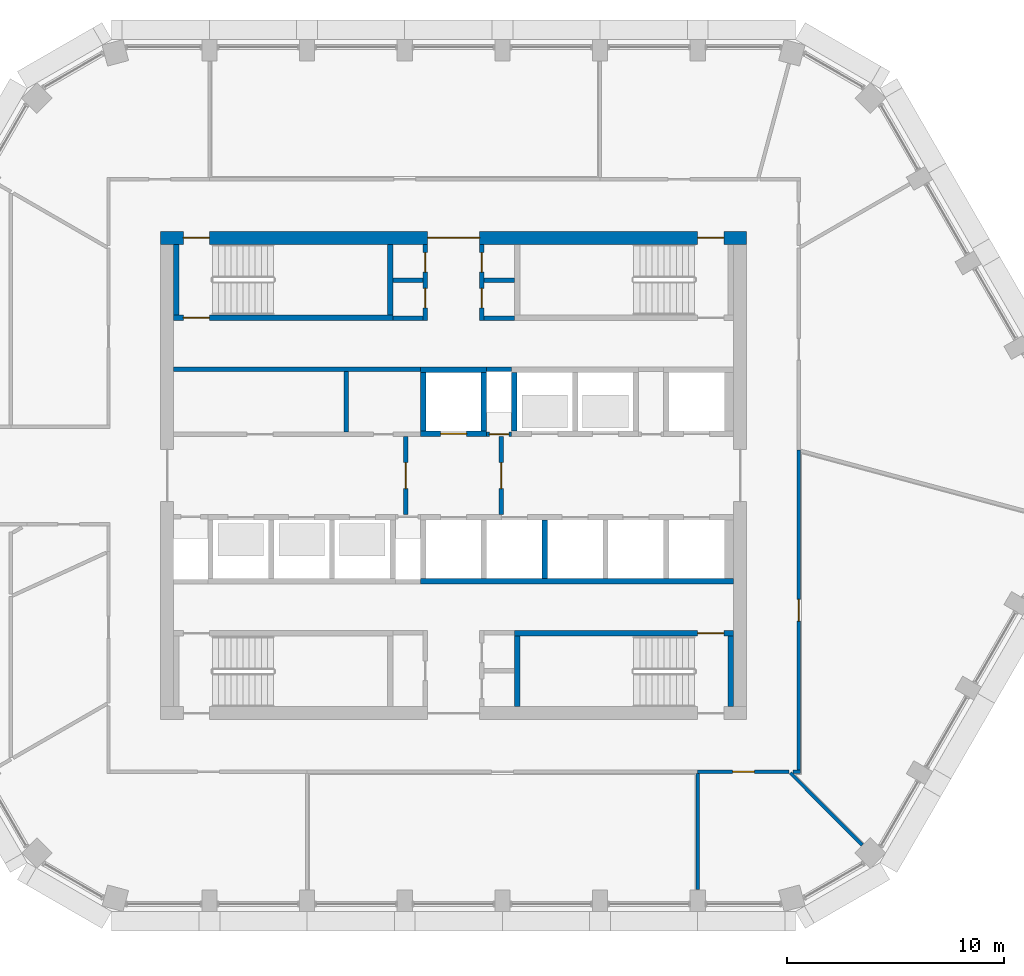
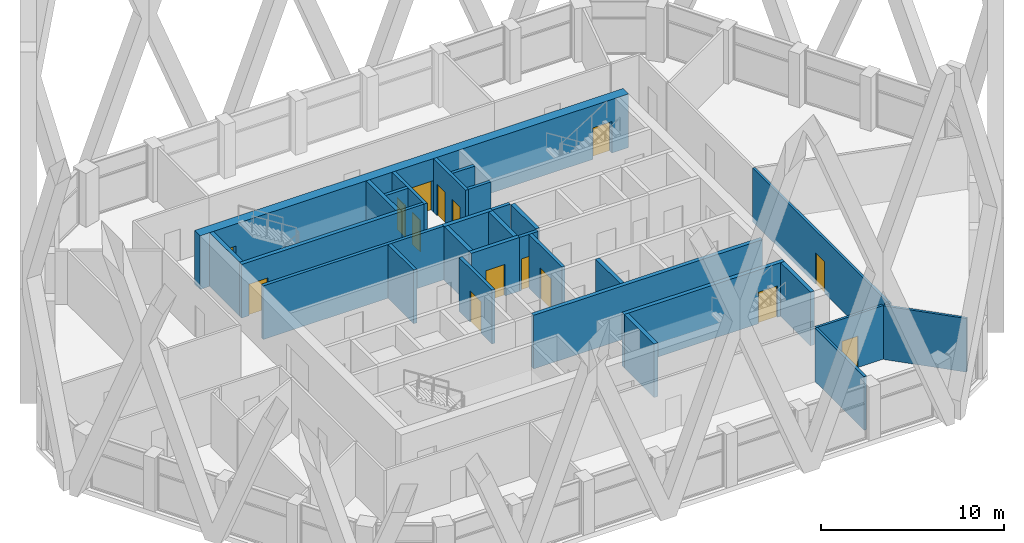
# One storey, part 10 of 20: 31 walls, 15 doors, 15 openings.
"""IFC4 building model written with IfcOpenShell, lengths in metres."""

from ifc_helpers import new_model, si_unit, direction, frame, frame_2d, origin, place, context, subcontext, project, spatial, polyline, rectangle, outline, extrude, material, layer, layer_set, type_object, element, fill, save


model = new_model("IFC4")

# Units and contexts
model_context = context("Model", 3, precision=1e-05, world=origin(), true_north=direction((0.0, 1.0)))
body_context = subcontext(model_context, "Body", "Model", "MODEL_VIEW")
ifc_project = project(units=[si_unit("LENGTHUNIT", "METRE"), si_unit("AREAUNIT", "SQUARE_METRE"), si_unit("VOLUMEUNIT", "CUBIC_METRE"), si_unit("PLANEANGLEUNIT", "RADIAN"), si_unit("MASSUNIT", "GRAM", prefix="KILO")], contexts=[model_context])

# Site, building, storey
site_placement = place(None, origin())
site = spatial("IfcSite", under=ifc_project, at=site_placement, CompositionType="ELEMENT")
building_placement = place(site_placement, origin())
building = spatial("IfcBuilding", under=site, at=building_placement, Name="Dhurran Vertical Campus", CompositionType="ELEMENT")
storey_placement = place(building_placement, frame((0.0, 0.0, 235.199951171875)))
storey = spatial("IfcBuildingStorey", under=building, at=storey_placement, Name="L58", CompositionType="ELEMENT", Elevation=235.199951171875)

# Wall, openings, doors
ifc_material_1 = material(Name="Concrete C50/60", Category="concrete")
ifc_layer_1 = layer(ifc_material_1, 0.60009765625)
ifc_layer_set_1 = layer_set([ifc_layer_1], Name="Concrete C50/60")
wall_type_1 = type_object("IfcWallType", Name="co-CORE-WALL-C2-600", PredefinedType="SHEAR", material=ifc_layer_set_1)
wall_1_placement = place(storey_placement, frame((-13.5, 10.949951171875, 0.0), z_axis=(0.0, 0.0, 1.0), x_axis=(1.0, 0.0, 0.0)))
wall_1 = element("IfcWall", 1, at=wall_1_placement, inside=storey, type_object=wall_type_1, Name="Core wall N L58", PredefinedType="SHEAR", context=body_context, shape_type="SweptSolid", body=[
    extrude(rectangle(XDim=27.0, YDim=0.60009765625, at=frame_2d((13.5, 0.0))), origin(), (0.0, 0.0, 1.0), 3.574951171875),
])
opening_1_placement = place(wall_1_placement, frame((12.300048828125, 0.0, 0.0)))
opening_1 = element("IfcOpeningElement", 2, at=opening_1_placement, cuts=wall_1, Name="Opening CV1", PredefinedType="OPENING", context=body_context, shape_type="SweptSolid", body=[
    extrude(rectangle(XDim=2.39990234375, YDim=2.10009765625, at=frame_2d((1.199951171875, 1.050048828125))), frame((0.0, 0.31005859375, 0.0), z_axis=(0.0, -1.0, 0.0), x_axis=(1.0, 0.0, 0.0)), (0.0, 0.0, 1.0), 0.6201171875),
])
opening_2_placement = place(wall_1_placement, frame((1.050048828125, 0.0, 0.0)))
opening_2 = element("IfcOpeningElement", 3, at=opening_2_placement, cuts=wall_1, Name="Opening XD1", PredefinedType="OPENING", context=body_context, shape_type="SweptSolid", body=[
    extrude(rectangle(XDim=1.199951171875, YDim=2.10009765625, at=frame_2d((0.60009765625, 1.050048828125))), frame((0.0, 0.31005859375, 0.0), z_axis=(0.0, -1.0, 0.0), x_axis=(1.0, 0.0, 0.0)), (0.0, 0.0, 1.0), 0.6201171875),
])
opening_3_placement = place(wall_1_placement, frame((24.75, 0.0, 0.0)))
opening_3 = element("IfcOpeningElement", 4, at=opening_3_placement, cuts=wall_1, Name="Opening XD2", PredefinedType="OPENING", context=body_context, shape_type="SweptSolid", body=[
    extrude(rectangle(XDim=1.199951171875, YDim=2.10009765625, at=frame_2d((0.60009765625, 1.050048828125))), frame((0.0, 0.31005859375, 0.0), z_axis=(0.0, -1.0, 0.0), x_axis=(1.0, 0.0, 0.0)), (0.0, 0.0, 1.0), 0.6201171875),
])
ifc_material_2 = material(Name="Fire-rated glazed door set")
door_type_1 = type_object("IfcDoorType", Name="co-D-LOBBY 2400x2100", OperationType="DOUBLE_DOOR_DOUBLE_SWING", PredefinedType="DOOR", material=ifc_material_2)
door_1_placement = place(opening_1_placement, origin())
door_1 = element("IfcDoor", 5, at=door_1_placement, inside=storey, type_object=door_type_1, Name="Core vestibule door N L58", OperationType="DOUBLE_DOOR_DOUBLE_SWING", OverallHeight=2.10009765625, OverallWidth=2.39990234375, PredefinedType="DOOR", context=body_context, shape_type="SweptSolid", body=[
    extrude(rectangle(XDim=2.39990234375, YDim=2.10009765625, at=frame_2d((1.199951171875, 1.050048828125))), frame((0.0, 0.02490234375, 0.0), z_axis=(0.0, -1.0, 0.0), x_axis=(1.0, 0.0, 0.0)), (0.0, 0.0, 1.0), 0.050048828125),
])
fill(opening_1, door_1)
ifc_material_3 = material(Name="Fire-rated steel door set", Category="steel")
door_type_2 = type_object("IfcDoorType", Name="co-D-STAIR-EXIT 1200x2100", OperationType="SINGLE_SWING_RIGHT", PredefinedType="DOOR", material=ifc_material_3)
door_2_placement = place(opening_2_placement, origin())
door_2 = element("IfcDoor", 6, at=door_2_placement, inside=storey, type_object=door_type_2, Name="Stair ST1 exit door L58", OperationType="SINGLE_SWING_RIGHT", OverallHeight=2.10009765625, OverallWidth=1.199951171875, PredefinedType="DOOR", context=body_context, shape_type="SweptSolid", body=[
    extrude(rectangle(XDim=1.199951171875, YDim=2.10009765625, at=frame_2d((0.60009765625, 1.050048828125))), frame((0.0, 0.02490234375, 0.0), z_axis=(0.0, -1.0, 0.0), x_axis=(1.0, 0.0, 0.0)), (0.0, 0.0, 1.0), 0.050048828125),
])
fill(opening_2, door_2)
door_3_placement = place(opening_3_placement, origin())
door_3 = element("IfcDoor", 7, at=door_3_placement, inside=storey, type_object=door_type_2, Name="Stair ST2 exit door L58", OperationType="SINGLE_SWING_RIGHT", OverallHeight=2.10009765625, OverallWidth=1.199951171875, PredefinedType="DOOR", context=body_context, shape_type="SweptSolid", body=[
    extrude(rectangle(XDim=1.199951171875, YDim=2.10009765625, at=frame_2d((0.60009765625, 1.050048828125))), frame((0.0, 0.02490234375, 0.0), z_axis=(0.0, -1.0, 0.0), x_axis=(1.0, 0.0, 0.0)), (0.0, 0.0, 1.0), 0.050048828125),
])
fill(opening_3, door_3)

# Wall, opening, door
ifc_material_4 = material(Name="Fire-rated masonry blockwork", Category="masonry")
ifc_layer_2 = layer(ifc_material_4, 0.199951171875)
ifc_layer_set_2 = layer_set([ifc_layer_2], Name="Fire-rated masonry blockwork")
wall_type_2 = type_object("IfcWallType", Name="co-FIRE-PARTITION-200", PredefinedType="PARTITIONING", material=ifc_layer_set_2)
wall_2_placement = place(storey_placement, frame((-2.199951171875, -1.800048828125, 0.0), z_axis=(0.0, 0.0, 1.0), x_axis=(0.0, 1.0, 0.0)))
wall_2 = element("IfcWall", 8, at=wall_2_placement, inside=storey, type_object=wall_type_2, Name="Firefighting lobby wall W L58", PredefinedType="PARTITIONING", context=body_context, shape_type="SweptSolid", body=[
    extrude(rectangle(XDim=3.60009765625, YDim=0.199951171875, at=frame_2d((1.800048828125, 0.0))), origin(), (0.0, 0.0, 1.0), 3.574951171875),
])
opening_4_placement = place(wall_2_placement, frame((1.199951171875, 0.0, 0.0)))
opening_4 = element("IfcOpeningElement", 9, at=opening_4_placement, cuts=wall_2, Name="Opening FL1", PredefinedType="OPENING", context=body_context, shape_type="SweptSolid", body=[
    extrude(rectangle(XDim=1.199951171875, YDim=2.10009765625, at=frame_2d((0.60009765625, 1.050048828125))), frame((0.0, 0.10986328125, 0.0), z_axis=(0.0, -1.0, 0.0), x_axis=(1.0, 0.0, 0.0)), (0.0, 0.0, 1.0), 0.219970703125),
])
ifc_material_5 = material(Name="Fire-rated steel door set", Category="steel")
door_type_3 = type_object("IfcDoorType", Name="co-D-FFLOBBY 1200x2100", OperationType="SINGLE_SWING_LEFT", PredefinedType="DOOR", material=ifc_material_5)
door_4_placement = place(opening_4_placement, origin())
door_4 = element("IfcDoor", 10, at=door_4_placement, inside=storey, type_object=door_type_3, Name="Firefighting lobby door W L58", OperationType="SINGLE_SWING_LEFT", OverallHeight=2.10009765625, OverallWidth=1.199951171875, PredefinedType="DOOR", context=body_context, shape_type="SweptSolid", body=[
    extrude(rectangle(XDim=1.199951171875, YDim=2.10009765625, at=frame_2d((0.60009765625, 1.050048828125))), frame((0.0, 0.02490234375, 0.0), z_axis=(0.0, -1.0, 0.0), x_axis=(1.0, 0.0, 0.0)), (0.0, 0.0, 1.0), 0.050048828125),
])
fill(opening_4, door_4)

wall_3_placement = place(storey_placement, frame((2.199951171875, -1.800048828125, 0.0), z_axis=(0.0, 0.0, 1.0), x_axis=(0.0, 1.0, 0.0)))
wall_3 = element("IfcWall", 11, at=wall_3_placement, inside=storey, type_object=wall_type_2, Name="Firefighting lobby wall E L58", PredefinedType="PARTITIONING", context=body_context, shape_type="SweptSolid", body=[
    extrude(rectangle(XDim=3.60009765625, YDim=0.199951171875, at=frame_2d((1.800048828125, 0.0))), origin(), (0.0, 0.0, 1.0), 3.574951171875),
])
opening_5_placement = place(wall_3_placement, frame((1.199951171875, 0.0, 0.0)))
opening_5 = element("IfcOpeningElement", 12, at=opening_5_placement, cuts=wall_3, Name="Opening FL2", PredefinedType="OPENING", context=body_context, shape_type="SweptSolid", body=[
    extrude(rectangle(XDim=1.199951171875, YDim=2.10009765625, at=frame_2d((0.60009765625, 1.050048828125))), frame((0.0, 0.10986328125, 0.0), z_axis=(0.0, -1.0, 0.0), x_axis=(1.0, 0.0, 0.0)), (0.0, 0.0, 1.0), 0.219970703125),
])
door_5_placement = place(opening_5_placement, origin())
door_5 = element("IfcDoor", 13, at=door_5_placement, inside=storey, type_object=door_type_3, Name="Firefighting lobby door E L58", OperationType="SINGLE_SWING_LEFT", OverallHeight=2.10009765625, OverallWidth=1.199951171875, PredefinedType="DOOR", context=body_context, shape_type="SweptSolid", body=[
    extrude(rectangle(XDim=1.199951171875, YDim=2.10009765625, at=frame_2d((0.60009765625, 1.050048828125))), frame((0.0, 0.02490234375, 0.0), z_axis=(0.0, -1.0, 0.0), x_axis=(1.0, 0.0, 0.0)), (0.0, 0.0, 1.0), 0.050048828125),
])
fill(opening_5, door_5)

# Walls
for number, where, z_axis, x_axis, name in (
    (14, (-2.800048828125, 7.25, 0.0), (0.0, 0.0, 1.0), (1.0, 0.0, 0.0), "Core partition sl-NW-S L58"),
    (15, (-2.800048828125, 9.0, 0.0), (0.0, 0.0, 1.0), (1.0, 0.0, 0.0), "Core partition sl-NW-cut0 L58"),
    (16, (1.39990234375, 7.25, 0.0), (0.0, 0.0, 1.0), (1.0, 0.0, 0.0), "Core partition sl-NE-S L58"),
    (17, (1.39990234375, 9.0, 0.0), (0.0, 0.0, 1.0), (1.0, 0.0, 0.0), "Core partition sl-NE-cut0 L58"),
):
    element("IfcWall", number, at=place(storey_placement, frame(where, z_axis=z_axis, x_axis=x_axis)), inside=storey, type_object=wall_type_2, Name=name, PredefinedType="PARTITIONING", context=body_context, shape_type="SweptSolid", body=[
        extrude(rectangle(XDim=1.400146484375, YDim=0.199951171875, at=frame_2d((0.7001953125, 0.0))), origin(), (0.0, 0.0, 1.0), 3.574951171875),
    ])

# Wall, openings, doors
wall_4_placement = place(storey_placement, frame((-1.300048828125, 7.14990234375, 0.0), z_axis=(0.0, 0.0, 1.0), x_axis=(0.0, 1.0, 0.0)))
wall_4 = element("IfcWall", 18, at=wall_4_placement, inside=storey, type_object=wall_type_2, Name="Core partition vest-NW L58", PredefinedType="PARTITIONING", context=body_context, shape_type="SweptSolid", body=[
    extrude(rectangle(XDim=3.5, YDim=0.199951171875, at=frame_2d((1.75, 0.0))), origin(), (0.0, 0.0, 1.0), 3.574951171875),
])
opening_6_placement = place(wall_4_placement, frame((0.574951171875, 0.0, 0.0)))
opening_6 = element("IfcOpeningElement", 19, at=opening_6_placement, cuts=wall_4, Name="Opening T17-C4", PredefinedType="OPENING", context=body_context, shape_type="SweptSolid", body=[
    extrude(rectangle(XDim=0.89990234375, YDim=2.10009765625, at=frame_2d((0.449951171875, 1.050048828125))), frame((0.0, 0.10986328125, 0.0), z_axis=(0.0, -1.0, 0.0), x_axis=(1.0, 0.0, 0.0)), (0.0, 0.0, 1.0), 0.219970703125),
])
opening_7_placement = place(wall_4_placement, frame((2.22509765625, 0.0, 0.0)))
opening_7 = element("IfcOpeningElement", 20, at=opening_7_placement, cuts=wall_4, Name="Opening T17-C5", PredefinedType="OPENING", context=body_context, shape_type="SweptSolid", body=[
    extrude(rectangle(XDim=0.89990234375, YDim=2.10009765625, at=frame_2d((0.449951171875, 1.050048828125))), frame((0.0, 0.10986328125, 0.0), z_axis=(0.0, -1.0, 0.0), x_axis=(1.0, 0.0, 0.0)), (0.0, 0.0, 1.0), 0.219970703125),
])
ifc_material_6 = material(Name="Fire-rated timber door set", Category="wood")
door_type_4 = type_object("IfcDoorType", Name="co-D-ROOM 900x2100", OperationType="SINGLE_SWING_LEFT", PredefinedType="DOOR", material=ifc_material_6)
door_6_placement = place(opening_6_placement, origin())
door_6 = element("IfcDoor", 21, at=door_6_placement, inside=storey, type_object=door_type_4, Name="Waste room door L58", OperationType="SINGLE_SWING_LEFT", OverallHeight=2.10009765625, OverallWidth=0.89990234375, PredefinedType="DOOR", context=body_context, shape_type="SweptSolid", body=[
    extrude(rectangle(XDim=0.89990234375, YDim=2.10009765625, at=frame_2d((0.449951171875, 1.050048828125))), frame((0.0, 0.02490234375, 0.0), z_axis=(0.0, -1.0, 0.0), x_axis=(1.0, 0.0, 0.0)), (0.0, 0.0, 1.0), 0.050048828125),
])
fill(opening_6, door_6)
door_7_placement = place(opening_7_placement, origin())
door_7 = element("IfcDoor", 22, at=door_7_placement, inside=storey, type_object=door_type_4, Name="Electrical riser door L58", OperationType="SINGLE_SWING_LEFT", OverallHeight=2.10009765625, OverallWidth=0.89990234375, PredefinedType="DOOR", context=body_context, shape_type="SweptSolid", body=[
    extrude(rectangle(XDim=0.89990234375, YDim=2.10009765625, at=frame_2d((0.449951171875, 1.050048828125))), frame((0.0, 0.02490234375, 0.0), z_axis=(0.0, -1.0, 0.0), x_axis=(1.0, 0.0, 0.0)), (0.0, 0.0, 1.0), 0.050048828125),
])
fill(opening_7, door_7)

wall_5_placement = place(storey_placement, frame((1.300048828125, 7.14990234375, 0.0), z_axis=(0.0, 0.0, 1.0), x_axis=(0.0, 1.0, 0.0)))
wall_5 = element("IfcWall", 23, at=wall_5_placement, inside=storey, type_object=wall_type_2, Name="Core partition vest-NE L58", PredefinedType="PARTITIONING", context=body_context, shape_type="SweptSolid", body=[
    extrude(rectangle(XDim=3.5, YDim=0.199951171875, at=frame_2d((1.75, 0.0))), origin(), (0.0, 0.0, 1.0), 3.574951171875),
])
opening_8_placement = place(wall_5_placement, frame((0.574951171875, 0.0, 0.0)))
opening_8 = element("IfcOpeningElement", 24, at=opening_8_placement, cuts=wall_5, Name="Opening T17-C6", PredefinedType="OPENING", context=body_context, shape_type="SweptSolid", body=[
    extrude(rectangle(XDim=0.89990234375, YDim=2.10009765625, at=frame_2d((0.449951171875, 1.050048828125))), frame((0.0, 0.10986328125, 0.0), z_axis=(0.0, -1.0, 0.0), x_axis=(1.0, 0.0, 0.0)), (0.0, 0.0, 1.0), 0.219970703125),
])
opening_9_placement = place(wall_5_placement, frame((2.22509765625, 0.0, 0.0)))
opening_9 = element("IfcOpeningElement", 25, at=opening_9_placement, cuts=wall_5, Name="Opening T17-C7", PredefinedType="OPENING", context=body_context, shape_type="SweptSolid", body=[
    extrude(rectangle(XDim=0.89990234375, YDim=2.10009765625, at=frame_2d((0.449951171875, 1.050048828125))), frame((0.0, 0.10986328125, 0.0), z_axis=(0.0, -1.0, 0.0), x_axis=(1.0, 0.0, 0.0)), (0.0, 0.0, 1.0), 0.219970703125),
])
door_8_placement = place(opening_8_placement, origin())
door_8 = element("IfcDoor", 26, at=door_8_placement, inside=storey, type_object=door_type_4, Name="Pantry door L58", OperationType="SINGLE_SWING_LEFT", OverallHeight=2.10009765625, OverallWidth=0.89990234375, PredefinedType="DOOR", context=body_context, shape_type="SweptSolid", body=[
    extrude(rectangle(XDim=0.89990234375, YDim=2.10009765625, at=frame_2d((0.449951171875, 1.050048828125))), frame((0.0, 0.02490234375, 0.0), z_axis=(0.0, -1.0, 0.0), x_axis=(1.0, 0.0, 0.0)), (0.0, 0.0, 1.0), 0.050048828125),
])
fill(opening_8, door_8)
door_9_placement = place(opening_9_placement, origin())
door_9 = element("IfcDoor", 27, at=door_9_placement, inside=storey, type_object=door_type_4, Name="Housekeeping store door L58", OperationType="SINGLE_SWING_LEFT", OverallHeight=2.10009765625, OverallWidth=0.89990234375, PredefinedType="DOOR", context=body_context, shape_type="SweptSolid", body=[
    extrude(rectangle(XDim=0.89990234375, YDim=2.10009765625, at=frame_2d((0.449951171875, 1.050048828125))), frame((0.0, 0.02490234375, 0.0), z_axis=(0.0, -1.0, 0.0), x_axis=(1.0, 0.0, 0.0)), (0.0, 0.0, 1.0), 0.050048828125),
])
fill(opening_9, door_9)

# Walls
wall_6_placement = place(storey_placement, frame((-4.9375, 2.0, 0.0), z_axis=(0.0, 0.0, 1.0), x_axis=(0.0, 1.0, 0.0)))
element("IfcWall", 28, at=wall_6_placement, inside=storey, type_object=wall_type_2, Name="Core partition fr-N0-cut0 L58", PredefinedType="PARTITIONING", context=body_context, shape_type="SweptSolid", body=[
    extrude(rectangle(XDim=2.800048828125, YDim=0.199951171875, at=frame_2d((1.39990234375, 0.0))), origin(), (0.0, 0.0, 1.0), 3.574951171875),
])
wall_7_placement = place(storey_placement, frame((-12.89990234375, 4.89990234375, 0.0), z_axis=(0.0, 0.0, 1.0), x_axis=(1.0, 0.0, 0.0)))
element("IfcWall", 29, at=wall_7_placement, inside=storey, type_object=wall_type_2, Name="Core partition fr-N0-b L58", PredefinedType="PARTITIONING", context=body_context, shape_type="SweptSolid", body=[
    extrude(rectangle(XDim=11.375, YDim=0.199951171875, at=frame_2d((5.6875, 0.0))), origin(), (0.0, 0.0, 1.0), 3.574951171875),
])

# Wall, opening, door
wall_8_placement = place(storey_placement, frame((1.52490234375, 1.89990234375, 0.0), z_axis=(0.0, 0.0, 1.0), x_axis=(1.0, 0.0, 0.0)))
wall_8 = element("IfcWall", 30, at=wall_8_placement, inside=storey, type_object=wall_type_2, Name="Core partition fr-N1-f L58", PredefinedType="PARTITIONING", context=body_context, shape_type="SweptSolid", body=[
    extrude(rectangle(XDim=1.150146484375, YDim=0.199951171875, at=frame_2d((0.5751953125, 0.0))), origin(), (0.0, 0.0, 1.0), 3.574951171875),
])
opening_10_placement = place(wall_8_placement, frame((0.125, 0.0, 0.0)))
opening_10 = element("IfcOpeningElement", 31, at=opening_10_placement, cuts=wall_8, Name="Opening T17-C10", PredefinedType="OPENING", context=body_context, shape_type="SweptSolid", body=[
    extrude(rectangle(XDim=0.89990234375, YDim=2.10009765625, at=frame_2d((0.449951171875, 1.050048828125))), frame((0.0, 0.10986328125, 0.0), z_axis=(0.0, -1.0, 0.0), x_axis=(1.0, 0.0, 0.0)), (0.0, 0.0, 1.0), 0.219970703125),
])
door_10_placement = place(opening_10_placement, origin())
door_10 = element("IfcDoor", 32, at=door_10_placement, inside=storey, type_object=door_type_4, Name="Communications riser door L58", OperationType="SINGLE_SWING_LEFT", OverallHeight=2.10009765625, OverallWidth=0.89990234375, PredefinedType="DOOR", context=body_context, shape_type="SweptSolid", body=[
    extrude(rectangle(XDim=0.89990234375, YDim=2.10009765625, at=frame_2d((0.449951171875, 1.050048828125))), frame((0.0, 0.02490234375, 0.0), z_axis=(0.0, -1.0, 0.0), x_axis=(1.0, 0.0, 0.0)), (0.0, 0.0, 1.0), 0.050048828125),
])
fill(opening_10, door_10)

# Wall
wall_9_placement = place(storey_placement, frame((1.52490234375, 4.89990234375, 0.0), z_axis=(0.0, 0.0, 1.0), x_axis=(1.0, 0.0, 0.0)))
element("IfcWall", 33, at=wall_9_placement, inside=storey, type_object=wall_type_2, Name="Core partition fr-N1-b L58", PredefinedType="PARTITIONING", context=body_context, shape_type="SweptSolid", body=[
    extrude(rectangle(XDim=1.150146484375, YDim=0.199951171875, at=frame_2d((0.5751953125, 0.0))), origin(), (0.0, 0.0, 1.0), 3.574951171875),
])

# Wall, opening, door
ifc_material_7 = material(Name="Concrete C50/60", Category="concrete")
ifc_layer_3 = layer(ifc_material_7, 0.25)
ifc_layer_set_3 = layer_set([ifc_layer_3], Name="Concrete C50/60")
wall_type_3 = type_object("IfcWallType", Name="co-SHAFT-FRONT-250", PredefinedType="SHEAR", material=ifc_layer_set_3)
wall_10_placement = place(storey_placement, frame((-1.52490234375, 1.925048828125, 0.0), z_axis=(0.0, 0.0, 1.0), x_axis=(1.0, 0.0, 0.0)))
wall_10 = element("IfcWall", 34, at=wall_10_placement, inside=storey, type_object=wall_type_3, Name="Lift landing wall N L58", PredefinedType="SHEAR", context=body_context, shape_type="SweptSolid", body=[
    extrude(rectangle(XDim=3.0498046875, YDim=0.25, at=frame_2d((1.52490234375, 0.0))), origin(), (0.0, 0.0, 1.0), 3.574951171875),
])
opening_11_placement = place(wall_10_placement, frame((0.925048828125, 0.0, 0.0)))
opening_11 = element("IfcOpeningElement", 35, at=opening_11_placement, cuts=wall_10, Name="Opening LD", PredefinedType="OPENING", context=body_context, shape_type="SweptSolid", body=[
    extrude(rectangle(XDim=1.199951171875, YDim=2.10009765625, at=frame_2d((0.60009765625, 1.050048828125))), frame((0.0, 0.135009765625, 0.0), z_axis=(0.0, -1.0, 0.0), x_axis=(1.0, 0.0, 0.0)), (0.0, 0.0, 1.0), 0.27001953125),
])
ifc_material_8 = material(Name="Stainless steel landing door", Category="steel")
door_type_5 = type_object("IfcDoorType", Name="co-D-LANDING 1200x2100", OperationType="DOUBLE_DOOR_SLIDING", PredefinedType="DOOR", material=ifc_material_8)
door_11_placement = place(opening_11_placement, origin())
door_11 = element("IfcDoor", 36, at=door_11_placement, inside=storey, type_object=door_type_5, Name="Landing door FF1 L58", OperationType="DOUBLE_DOOR_SLIDING", OverallHeight=2.10009765625, OverallWidth=1.199951171875, PredefinedType="DOOR", context=body_context, shape_type="SweptSolid", body=[
    extrude(rectangle(XDim=1.199951171875, YDim=2.10009765625, at=frame_2d((0.60009765625, 1.050048828125))), frame((0.0, 0.02490234375, 0.0), z_axis=(0.0, -1.0, 0.0), x_axis=(1.0, 0.0, 0.0)), (0.0, 0.0, 1.0), 0.050048828125),
])
fill(opening_11, door_11)

# Walls
ifc_material_9 = material(Name="Concrete C50/60", Category="concrete")
ifc_layer_4 = layer(ifc_material_9, 0.25)
ifc_layer_set_4 = layer_set([ifc_layer_4], Name="Concrete C50/60")
wall_type_4 = type_object("IfcWallType", Name="co-SHAFT-MASS-250", PredefinedType="SHEAR", material=ifc_layer_set_4)
wall_11_placement = place(storey_placement, origin())
element("IfcWall", 37, at=wall_11_placement, inside=storey, type_object=wall_type_4, Name="Lift shaft wall N L58 1", PredefinedType="SHEAR", context=body_context, shape_type="SweptSolid", body=[
    extrude(outline(polyline([(-1.52490234375, 4.75), (1.52490234375, 4.75), (1.52490234375, 5.0), (-1.52490234375, 5.0), (-1.52490234375, 4.75)])), origin(), (0.0, 0.0, 1.0), 3.574951171875),
])
wall_12_placement = place(storey_placement, origin())
element("IfcWall", 38, at=wall_12_placement, inside=storey, type_object=wall_type_4, Name="Lift shaft wall N L58 4", PredefinedType="SHEAR", context=body_context, shape_type="SweptSolid", body=[
    extrude(outline(polyline([(-1.52490234375, 2.050048828125), (-1.27490234375, 2.050048828125), (-1.27490234375, 4.75), (-1.52490234375, 4.75), (-1.52490234375, 2.050048828125)])), origin(), (0.0, 0.0, 1.0), 3.574951171875),
])
wall_13_placement = place(storey_placement, origin())
element("IfcWall", 39, at=wall_13_placement, inside=storey, type_object=wall_type_4, Name="Lift shaft wall N L58 5", PredefinedType="SHEAR", context=body_context, shape_type="SweptSolid", body=[
    extrude(outline(polyline([(1.27490234375, 2.050048828125), (1.52490234375, 2.050048828125), (1.52490234375, 4.75), (1.27490234375, 4.75), (1.27490234375, 2.050048828125)])), origin(), (0.0, 0.0, 1.0), 3.574951171875),
])
wall_14_placement = place(storey_placement, origin())
element("IfcWall", 40, at=wall_14_placement, inside=storey, type_object=wall_type_4, Name="Lift shaft wall N L58 6", PredefinedType="SHEAR", context=body_context, shape_type="SweptSolid", body=[
    extrude(outline(polyline([(2.675048828125, 2.050048828125), (2.925048828125, 2.050048828125), (2.925048828125, 4.75), (2.675048828125, 4.75), (2.675048828125, 2.050048828125)])), origin(), (0.0, 0.0, 1.0), 3.574951171875),
])
wall_15_placement = place(storey_placement, origin())
element("IfcWall", 41, at=wall_15_placement, inside=storey, type_object=wall_type_4, Name="Lift shaft wall S L58 2", PredefinedType="SHEAR", context=body_context, shape_type="SweptSolid", body=[
    extrude(outline(polyline([(-1.52490234375, -5.0), (12.89990234375, -5.0), (12.89990234375, -4.75), (-1.52490234375, -4.75), (-1.52490234375, -5.0)])), origin(), (0.0, 0.0, 1.0), 3.574951171875),
])
wall_16_placement = place(storey_placement, origin())
element("IfcWall", 42, at=wall_16_placement, inside=storey, type_object=wall_type_4, Name="Lift shaft wall S L58 9", PredefinedType="SHEAR", context=body_context, shape_type="SweptSolid", body=[
    extrude(outline(polyline([(4.074951171875, -4.75), (4.324951171875, -4.75), (4.324951171875, -2.050048828125), (4.074951171875, -2.050048828125), (4.074951171875, -4.75)])), origin(), (0.0, 0.0, 1.0), 3.574951171875),
])

# Wall, opening, door
ifc_material_10 = material(Name="Concrete C40/50", Category="concrete")
ifc_layer_5 = layer(ifc_material_10, 0.25)
ifc_layer_set_5 = layer_set([ifc_layer_5], Name="Concrete C40/50")
wall_type_5 = type_object("IfcWallType", Name="co-STAIR-WALL-250", PredefinedType="SHEAR", material=ifc_layer_set_5)
wall_17_placement = place(storey_placement, frame((-12.89990234375, 7.27490234375, 0.0), z_axis=(0.0, 0.0, 1.0), x_axis=(1.0, 0.0, 0.0)))
wall_17 = element("IfcWall", 43, at=wall_17_placement, inside=storey, type_object=wall_type_5, Name="Stair ST1 enclosure wall L58", PredefinedType="SHEAR", context=body_context, shape_type="SweptSolid", body=[
    extrude(rectangle(XDim=10.099853515625, YDim=0.25, at=frame_2d((5.0498046875, 0.0))), origin(), (0.0, 0.0, 1.0), 3.574951171875),
])
opening_12_placement = place(wall_17_placement, frame((0.449951171875, 0.0, 0.0)))
opening_12 = element("IfcOpeningElement", 44, at=opening_12_placement, cuts=wall_17, Name="Opening SD1", PredefinedType="OPENING", context=body_context, shape_type="SweptSolid", body=[
    extrude(rectangle(XDim=1.199951171875, YDim=2.10009765625, at=frame_2d((0.60009765625, 1.050048828125))), frame((0.0, 0.135009765625, 0.0), z_axis=(0.0, -1.0, 0.0), x_axis=(1.0, 0.0, 0.0)), (0.0, 0.0, 1.0), 0.27001953125),
])
ifc_material_11 = material(Name="Fire-rated steel door set", Category="steel")
door_type_6 = type_object("IfcDoorType", Name="co-D-STAIR 1200x2100", OperationType="SINGLE_SWING_LEFT", PredefinedType="DOOR", material=ifc_material_11)
door_12_placement = place(opening_12_placement, origin())
door_12 = element("IfcDoor", 45, at=door_12_placement, inside=storey, type_object=door_type_6, Name="Stair ST1 door L58", OperationType="SINGLE_SWING_LEFT", OverallHeight=2.10009765625, OverallWidth=1.199951171875, PredefinedType="DOOR", context=body_context, shape_type="SweptSolid", body=[
    extrude(rectangle(XDim=1.199951171875, YDim=2.10009765625, at=frame_2d((0.60009765625, 1.050048828125))), frame((0.0, 0.02490234375, 0.0), z_axis=(0.0, -1.0, 0.0), x_axis=(1.0, 0.0, 0.0)), (0.0, 0.0, 1.0), 0.050048828125),
])
fill(opening_12, door_12)

# Walls
for number, where, z_axis, x_axis, name in (
    (46, (-12.77490234375, 7.39990234375, 0.0), (0.0, 0.0, 1.0), (0.0, 1.0, 0.0), "Stair ST1 enclosure wall L58"),
    (47, (-2.925048828125, 7.39990234375, 0.0), (0.0, 0.0, 1.0), (0.0, 1.0, 0.0), "Stair ST1 enclosure wall L58"),
):
    element("IfcWall", number, at=place(storey_placement, frame(where, z_axis=z_axis, x_axis=x_axis)), inside=storey, type_object=wall_type_5, Name=name, PredefinedType="SHEAR", context=body_context, shape_type="SweptSolid", body=[
        extrude(rectangle(XDim=3.25, YDim=0.25, at=frame_2d((1.625, 0.0))), origin(), (0.0, 0.0, 1.0), 3.574951171875),
    ])

# Wall, opening, door
wall_18_placement = place(storey_placement, frame((2.800048828125, -7.27490234375, 0.0), z_axis=(0.0, 0.0, 1.0), x_axis=(1.0, 0.0, 0.0)))
wall_18 = element("IfcWall", 48, at=wall_18_placement, inside=storey, type_object=wall_type_5, Name="Stair ST4 enclosure wall L58", PredefinedType="SHEAR", context=body_context, shape_type="SweptSolid", body=[
    extrude(rectangle(XDim=10.099853515625, YDim=0.25, at=frame_2d((5.0498046875, 0.0))), origin(), (0.0, 0.0, 1.0), 3.574951171875),
])
opening_13_placement = place(wall_18_placement, frame((8.449951171875, 0.0, 0.0)))
opening_13 = element("IfcOpeningElement", 49, at=opening_13_placement, cuts=wall_18, Name="Opening SD4", PredefinedType="OPENING", context=body_context, shape_type="SweptSolid", body=[
    extrude(rectangle(XDim=1.199951171875, YDim=2.10009765625, at=frame_2d((0.60009765625, 1.050048828125))), frame((0.0, 0.135009765625, 0.0), z_axis=(0.0, -1.0, 0.0), x_axis=(1.0, 0.0, 0.0)), (0.0, 0.0, 1.0), 0.27001953125),
])
door_13_placement = place(opening_13_placement, origin())
door_13 = element("IfcDoor", 50, at=door_13_placement, inside=storey, type_object=door_type_6, Name="Stair ST4 door L58", OperationType="SINGLE_SWING_LEFT", OverallHeight=2.10009765625, OverallWidth=1.199951171875, PredefinedType="DOOR", context=body_context, shape_type="SweptSolid", body=[
    extrude(rectangle(XDim=1.199951171875, YDim=2.10009765625, at=frame_2d((0.60009765625, 1.050048828125))), frame((0.0, 0.02490234375, 0.0), z_axis=(0.0, -1.0, 0.0), x_axis=(1.0, 0.0, 0.0)), (0.0, 0.0, 1.0), 0.050048828125),
])
fill(opening_13, door_13)

# Walls
for number, where, z_axis, x_axis, name in (
    (51, (2.925048828125, -10.64990234375, 0.0), (0.0, 0.0, 1.0), (0.0, 1.0, 0.0), "Stair ST4 enclosure wall L58"),
    (52, (12.77490234375, -10.64990234375, 0.0), (0.0, 0.0, 1.0), (0.0, 1.0, 0.0), "Stair ST4 enclosure wall L58"),
):
    element("IfcWall", number, at=place(storey_placement, frame(where, z_axis=z_axis, x_axis=x_axis)), inside=storey, type_object=wall_type_5, Name=name, PredefinedType="SHEAR", context=body_context, shape_type="SweptSolid", body=[
        extrude(rectangle(XDim=3.25, YDim=0.25, at=frame_2d((1.625, 0.0))), origin(), (0.0, 0.0, 1.0), 3.574951171875),
    ])

# Wall, opening, door
ifc_material_12 = material(Name="Gypsum board corridor wall on steel studs", Category="steel")
ifc_layer_6 = layer(ifc_material_12, 0.14990234375)
ifc_layer_set_6 = layer_set([ifc_layer_6], Name="Gypsum board corridor wall on steel studs")
wall_type_6 = type_object("IfcWallType", Name="fl-CW-150 corridor wall", PredefinedType="PARTITIONING", material=ifc_layer_set_6)
wall_19_placement = place(storey_placement, frame((11.25, -13.64990234375, 0.0), z_axis=(0.0, 0.0, 1.0), x_axis=(1.0, 0.0, 0.0)))
wall_19 = element("IfcWall", 53, at=wall_19_placement, inside=storey, type_object=wall_type_6, Name="Partition 58-28", PredefinedType="PARTITIONING", context=body_context, shape_type="SweptSolid", body=[
    extrude(rectangle(XDim=4.208984375, YDim=0.14990234375, at=frame_2d((2.1044921875, 0.0))), origin(), (0.0, 0.0, 1.0), 3.574951171875),
])
opening_14_placement = place(wall_19_placement, frame((1.6044921875, 0.0, 0.0)))
opening_14 = element("IfcOpeningElement", 54, at=opening_14_placement, cuts=wall_19, Name="Opening T17.11", PredefinedType="OPENING", context=body_context, shape_type="SweptSolid", body=[
    extrude(rectangle(XDim=1.0, YDim=2.10009765625, at=frame_2d((0.5, 1.050048828125))), frame((0.0, 0.0849609375, 0.0), z_axis=(0.0, -1.0, 0.0), x_axis=(1.0, 0.0, 0.0)), (0.0, 0.0, 1.0), 0.169921875),
])
ifc_material_13 = material(Name="Solid-core timber door set, fire-rated", Category="wood")
door_type_7 = type_object("IfcDoorType", Name="fl-D-1000x2100", OperationType="SINGLE_SWING_LEFT", PredefinedType="DOOR", material=ifc_material_13)
door_14_placement = place(opening_14_placement, origin())
door_14 = element("IfcDoor", 55, at=door_14_placement, inside=storey, type_object=door_type_7, Name="Door 58.11", OperationType="SINGLE_SWING_LEFT", OverallHeight=2.10009765625, OverallWidth=1.0, PredefinedType="DOOR", context=body_context, shape_type="SweptSolid", body=[
    extrude(rectangle(XDim=1.0, YDim=2.10009765625, at=frame_2d((0.5, 1.050048828125))), frame((0.0, 0.02490234375, 0.0), z_axis=(0.0, -1.0, 0.0), x_axis=(1.0, 0.0, 0.0)), (0.0, 0.0, 1.0), 0.050048828125),
])
fill(opening_14, door_14)

# Wall
wall_20_placement = place(storey_placement, frame((15.634033203125, -13.64990234375, 0.0), z_axis=(0.0, 0.0, 1.0), x_axis=(1.0, 0.0, 0.0)))
element("IfcWall", 56, at=wall_20_placement, inside=storey, type_object=wall_type_6, Name="Partition 58-31", PredefinedType="PARTITIONING", context=body_context, shape_type="SweptSolid", body=[
    extrude(rectangle(XDim=0.341064453125, YDim=0.14990234375, at=frame_2d((0.17041015625, 0.0))), origin(), (0.0, 0.0, 1.0), 3.574951171875),
])

# Wall, opening, door
wall_21_placement = place(storey_placement, frame((15.89990234375, -13.574951171875, 0.0), z_axis=(0.0, 0.0, 1.0), x_axis=(0.0, 1.0, 0.0)))
wall_21 = element("IfcWall", 57, at=wall_21_placement, inside=storey, type_object=wall_type_6, Name="Partition 58-33", PredefinedType="PARTITIONING", context=body_context, shape_type="SweptSolid", body=[
    extrude(rectangle(XDim=14.740966796875, YDim=0.14990234375, at=frame_2d((7.37060546875, 0.0))), origin(), (0.0, 0.0, 1.0), 3.574951171875),
])
opening_15_placement = place(wall_21_placement, frame((6.87060546875, 0.0, 0.0)))
opening_15 = element("IfcOpeningElement", 58, at=opening_15_placement, cuts=wall_21, Name="Opening T17.13", PredefinedType="OPENING", context=body_context, shape_type="SweptSolid", body=[
    extrude(rectangle(XDim=1.0, YDim=2.10009765625, at=frame_2d((0.5, 1.050048828125))), frame((0.0, 0.0849609375, 0.0), z_axis=(0.0, -1.0, 0.0), x_axis=(1.0, 0.0, 0.0)), (0.0, 0.0, 1.0), 0.169921875),
])
door_15_placement = place(opening_15_placement, origin())
door_15 = element("IfcDoor", 59, at=door_15_placement, inside=storey, type_object=door_type_7, Name="Door 58.13", OperationType="SINGLE_SWING_RIGHT", OverallHeight=2.10009765625, OverallWidth=1.0, PredefinedType="DOOR", context=body_context, shape_type="SweptSolid", body=[
    extrude(rectangle(XDim=1.0, YDim=2.10009765625, at=frame_2d((0.5, 1.050048828125))), frame((0.0, 0.02490234375, 0.0), z_axis=(0.0, -1.0, 0.0), x_axis=(1.0, 0.0, 0.0)), (0.0, 0.0, 1.0), 0.050048828125),
])
fill(opening_15, door_15)

# Walls
ifc_material_14 = material(Name="Gypsum board partition on steel studs", Category="steel")
ifc_layer_7 = layer(ifc_material_14, 0.14990234375)
ifc_layer_set_7 = layer_set([ifc_layer_7], Name="Gypsum board partition on steel studs")
wall_type_7 = type_object("IfcWallType", Name="fl-PW-150 fixed partition", PredefinedType="PARTITIONING", material=ifc_layer_set_7)
wall_22_placement = place(storey_placement, frame((11.25, -13.72509765625, 0.0), z_axis=(0.0, 0.0, 1.0), x_axis=(0.0, -1.0, 0.0)))
element("IfcWall", 60, at=wall_22_placement, inside=storey, type_object=wall_type_7, Name="Partition 58-27", PredefinedType="PARTITIONING", context=body_context, shape_type="SweptSolid", body=[
    extrude(rectangle(XDim=5.343505859375, YDim=0.14990234375, at=frame_2d((2.671875, 0.0))), origin(), (0.0, 0.0, 1.0), 3.574951171875),
])
wall_23_placement = place(storey_placement, frame((15.511962890625, -13.702880859375, 0.0), z_axis=(0.0, 0.0, 1.0), x_axis=(0.707002756653, -0.707210790419, 0.0)))
element("IfcWall", 61, at=wall_23_placement, inside=storey, type_object=wall_type_7, Name="Partition 58-32", PredefinedType="PARTITIONING", context=body_context, shape_type="SweptSolid", body=[
    extrude(rectangle(XDim=4.6943359375, YDim=0.14990234375, at=frame_2d((2.34716796875, 0.0))), origin(), (0.0, 0.0, 1.0), 3.574951171875),
])

save(model, "model.ifc")
